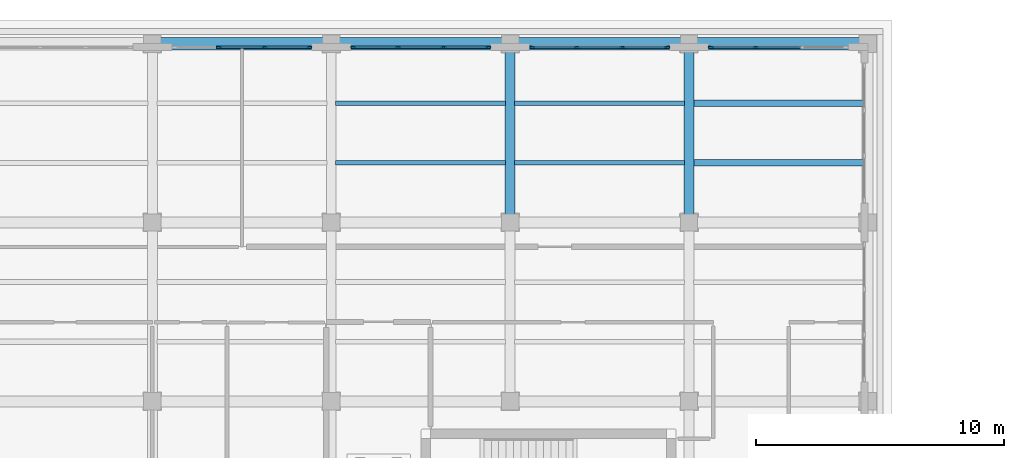
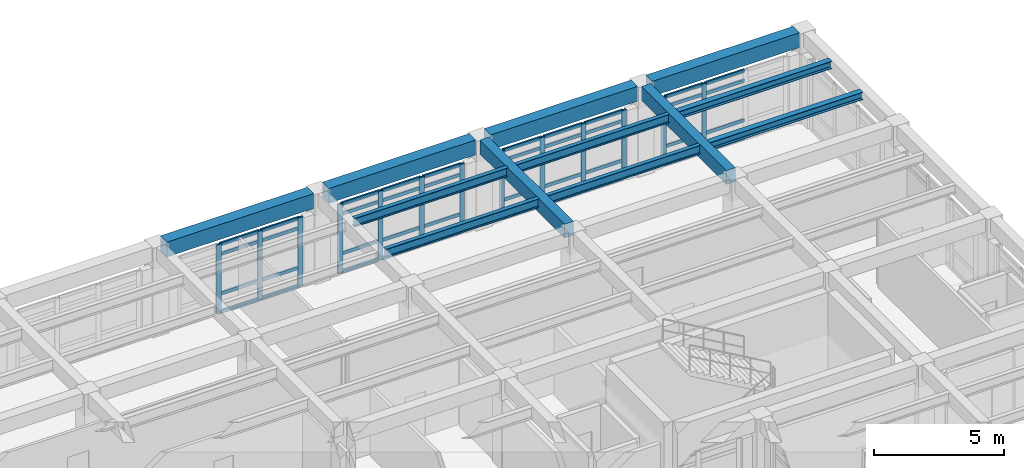
# One storey, part 30 of 64: 53 members, 12 beams, 4 elements without a shape of their own.
"""IFC4 building model written with IfcOpenShell, lengths in metres."""

import ifcopenshell
import ifcopenshell.guid

model = None  # the IFC model being written
_history = None  # IfcOwnerHistory: only IFC2X3 demands one
_inside = {}  # id of a spatial element -> (the spatial element, [elements in it])
_under = {}  # id of a project, library or spatial element -> (it, [spatial elements below it])
_declared = {}  # id of a project -> (the project, [libraries it declares])
_typed = {}  # id of a type object -> (the type object, [elements of that type])
_made_of = {}  # id of a material, layer set ... -> (it, [elements and type objects made of it])


def new_model(schema):
    """Start an empty IFC model of exactly this schema.

    Asked for "IFC4X3", IfcOpenShell would pick the latest addendum, in which some entities
    have other attributes; the version numbers below select the first issue.
    IFC2X3 requires an IfcOwnerHistory on every rooted entity: one is made here for all.
    """
    global model, _history
    if schema == "IFC4X3":
        model = ifcopenshell.file(schema_version=(4, 3, 0, 0))
    else:
        model = ifcopenshell.file(schema=schema)
    _inside.clear()
    _under.clear()
    _declared.clear()
    _typed.clear()
    _made_of.clear()
    _history = None
    if model.schema == "IFC2X3":
        org = make("IfcOrganization", Name="unknown")
        user = make(
            "IfcPersonAndOrganization",
            ThePerson=make("IfcPerson", FamilyName="unknown"),
            TheOrganization=org,
        )
        app = make(
            "IfcApplication",
            ApplicationDeveloper=org,
            Version="unknown",
            ApplicationFullName="unknown",
            ApplicationIdentifier="unknown",
        )
        _history = make(
            "IfcOwnerHistory",
            OwningUser=user,
            OwningApplication=app,
            ChangeAction="ADDED",
            CreationDate=0,
        )
    return model


def make(cls, **values):
    """One entity of the class cls with the attributes given. An attribute that is None is left unset."""
    return model.create_entity(
        cls, **{name: value for name, value in values.items() if value is not None}
    )


def rooted(cls, **values):
    """An entity with a GlobalId (a new one), such as an element, a storey or a relation."""
    return make(cls, GlobalId=ifcopenshell.guid.new(), OwnerHistory=_history, **values)


def si_unit(unit_type, name, prefix=None):
    """IfcSIUnit, for example si_unit("LENGTHUNIT", "METRE", prefix="MILLI")."""
    return make("IfcSIUnit", UnitType=unit_type, Prefix=prefix, Name=name)


def assignment(units):
    """IfcUnitAssignment: the units of a project."""
    return None if units is None else make("IfcUnitAssignment", Units=units)


def point(xyz):
    """IfcCartesianPoint."""
    return None if xyz is None else make("IfcCartesianPoint", Coordinates=xyz)


def direction(xyz):
    """IfcDirection."""
    return None if xyz is None else make("IfcDirection", DirectionRatios=xyz)


def frame(location, z_axis=None, x_axis=None):
    """IfcAxis2Placement3D, a coordinate frame: its origin and axes. An axis left out is left unset."""
    return make(
        "IfcAxis2Placement3D",
        Location=point(location),
        Axis=direction(z_axis),
        RefDirection=direction(x_axis),
    )


def frame_2d(location, x_axis=None):
    """IfcAxis2Placement2D, a coordinate frame in the plane: its origin and x axis."""
    return make(
        "IfcAxis2Placement2D", Location=point(location), RefDirection=direction(x_axis)
    )


def origin():
    """The frame at (0, 0, 0) with its axes left unset."""
    return frame((0.0, 0.0, 0.0))


def origin_2d():
    """The frame at (0, 0) in the plane with its x axis left unset."""
    return frame_2d((0.0, 0.0))


def place(relative_to, where):
    """IfcLocalPlacement: puts the frame where relative to a parent placement (None: the world)."""
    return make(
        "IfcLocalPlacement", PlacementRelTo=relative_to, RelativePlacement=where
    )


def context(
    kind, dimensions, precision=None, world=None, true_north=None, identifier=None
):
    """IfcGeometricRepresentationContext, for example the 3D "Model" context."""
    return make(
        "IfcGeometricRepresentationContext",
        ContextIdentifier=identifier,
        ContextType=kind,
        CoordinateSpaceDimension=dimensions,
        Precision=precision,
        WorldCoordinateSystem=world,
        TrueNorth=true_north,
    )


def subcontext(parent, identifier, kind, view, scale=None):
    """IfcGeometricRepresentationSubContext, for example "Body" below "Model"."""
    return make(
        "IfcGeometricRepresentationSubContext",
        ContextIdentifier=identifier,
        ContextType=kind,
        ParentContext=parent,
        TargetScale=scale,
        TargetView=view,
    )


def project(units=None, contexts=None):
    """IfcProject with its units and contexts."""
    return rooted(
        "IfcProject",
        Name="project",
        RepresentationContexts=contexts,
        UnitsInContext=assignment(units),
    )


def spatial(cls, under=None, at=None, **own):
    """A site, building, storey or space (cls), placed at a placement, below another one or the project."""
    s = rooted(cls, ObjectPlacement=at, **own)
    if under is not None:
        _under.setdefault(under.id(), (under, []))[1].append(s)
    return s


def profile(cls, at=None, kind="AREA", **sizes):
    """A parametric profile (cls). Its sizes go by their IFC names, for example OverallWidth=200.0."""
    return make(cls, ProfileType=kind, Position=at, **sizes)


def rectangle(**sizes):
    """IfcRectangleProfileDef."""
    return profile("IfcRectangleProfileDef", **sizes)


def i_section(**sizes):
    """IfcIShapeProfileDef."""
    return profile("IfcIShapeProfileDef", **sizes)


def extrude(swept, where, along, depth):
    """IfcExtrudedAreaSolid: the profile swept, set in the frame where, extruded along a direction by depth."""
    return make(
        "IfcExtrudedAreaSolid",
        SweptArea=swept,
        Position=where,
        ExtrudedDirection=direction(along),
        Depth=depth,
    )


def shape(context_of_items, identifier, shape_type, items):
    """IfcShapeRepresentation: the items that make up one representation, for example the "Body"."""
    return make(
        "IfcShapeRepresentation",
        ContextOfItems=context_of_items,
        RepresentationIdentifier=identifier,
        RepresentationType=shape_type,
        Items=items,
    )


def material(Name=None, Category=None):
    """IfcMaterial."""
    return make("IfcMaterial", Name=Name, Category=Category)


def layer(
    of_material, thickness, ventilated=None, Name=None, Category=None, Priority=None
):
    """IfcMaterialLayer: one layer of a wall or slab, of a material (None: an air gap)."""
    return make(
        "IfcMaterialLayer",
        Material=of_material,
        LayerThickness=thickness,
        IsVentilated=ventilated,
        Name=Name,
        Category=Category,
        Priority=Priority,
    )


def layer_set(layers, Name=None):
    """IfcMaterialLayerSet."""
    return make("IfcMaterialLayerSet", MaterialLayers=layers, LayerSetName=Name)


def material_profile(
    of_material, cross_section, Name=None, Category=None, Priority=None
):
    """IfcMaterialProfile: a cross section and its material."""
    return make(
        "IfcMaterialProfile",
        Name=Name,
        Material=of_material,
        Profile=cross_section,
        Priority=Priority,
        Category=Category,
    )


def profile_set(profiles, Name=None, composite=None):
    """IfcMaterialProfileSet."""
    return make(
        "IfcMaterialProfileSet",
        Name=Name,
        MaterialProfiles=profiles,
        CompositeProfile=composite,
    )


def made_of(thing, what):
    """Note that an element or type object is made of a material, layer set ...; save() writes the relation."""
    if what is not None:
        _made_of.setdefault(what.id(), (what, []))[1].append(thing)
    return thing


def type_object(cls, material=None, **own):
    """A type object (cls), such as IfcWallType, which elements share."""
    return made_of(rooted(cls, **own), material)


def element(
    cls,
    number,
    at=None,
    inside=None,
    cuts=None,
    type_object=None,
    material=None,
    context=None,
    identifier="Body",
    shape_type=None,
    held_by="IfcProductDefinitionShape",
    body=None,
    shapes=None,
    **own,
):
    """One element of the class cls, such as IfcWall. Its Tag is "e" and its number.

    at: its placement. inside: the storey or other place that contains it. cuts: it is an
    opening in that element (IfcRelVoidsElement). A single representation is given by context,
    identifier, shape_type and body (its items); several are given by shapes. held_by: the class
    of the entity that holds the representations. save() writes the other relations.
    """
    e = rooted(cls, Tag="e%d" % number, ObjectPlacement=at, **own)
    if body is not None:
        shapes = [shape(context, identifier, shape_type, body)]
    if shapes is not None:
        e.Representation = make(held_by, Representations=shapes)
    if inside is not None:
        _inside.setdefault(inside.id(), (inside, []))[1].append(e)
    if cuts is not None:
        rooted(
            "IfcRelVoidsElement", RelatingBuildingElement=cuts, RelatedOpeningElement=e
        )
    if type_object is not None:
        _typed.setdefault(type_object.id(), (type_object, []))[1].append(e)
    return made_of(e, material)


def aggregate(whole, parts):
    """IfcRelAggregates: a whole, such as a stair, and the parts it consists of."""
    return rooted("IfcRelAggregates", RelatingObject=whole, RelatedObjects=parts)


def save(model, path):
    """Write the relations noted so far, then the file.

    IfcRelAggregates (storeys below a building ...), IfcRelContainedInSpatialStructure (elements
    in a storey), IfcRelDefinesByType, IfcRelAssociatesMaterial and IfcRelDeclares: one each for
    every whole, place, type object, material and project.
    """
    for whole, parts in _under.values():
        aggregate(whole, parts)
    for where, things in _inside.values():
        rooted(
            "IfcRelContainedInSpatialStructure",
            RelatedElements=things,
            RelatingStructure=where,
        )
    for kind, things in _typed.values():
        rooted("IfcRelDefinesByType", RelatedObjects=things, RelatingType=kind)
    for what, things in _made_of.values():
        rooted("IfcRelAssociatesMaterial", RelatedObjects=things, RelatingMaterial=what)
    for by, libraries in _declared.values():
        rooted("IfcRelDeclares", RelatingContext=by, RelatedDefinitions=libraries)
    model.write(path)


model = new_model("IFC4")

# Units and contexts
model_context = context("Model", 3, precision=1e-05, world=origin(), true_north=direction((0.0, 1.0)))
body_context = subcontext(model_context, "Body", "Model", "MODEL_VIEW")
ifc_project = project(units=[si_unit("LENGTHUNIT", "METRE"), si_unit("AREAUNIT", "SQUARE_METRE"), si_unit("VOLUMEUNIT", "CUBIC_METRE"), si_unit("PLANEANGLEUNIT", "RADIAN"), si_unit("MASSUNIT", "GRAM", prefix="KILO")], contexts=[model_context])

# Site, building, storey
site_placement = place(None, origin())
site = spatial("IfcSite", under=ifc_project, at=site_placement, CompositionType="ELEMENT")
building_placement = place(site_placement, origin())
building = spatial("IfcBuilding", under=site, at=building_placement, Name="Solenvale Faculty of Natural Sciences", CompositionType="ELEMENT")
storey_placement = place(building_placement, frame((0.0, 0.0, 18.0)))
storey = spatial("IfcBuildingStorey", under=building, at=storey_placement, Name="L04", CompositionType="ELEMENT", Elevation=18.0)

# Beams
ifc_material_1 = material(Name="Concrete 40 MPa", Category="concrete")
ifc_material_profile_1 = material_profile(ifc_material_1, rectangle(XDim=0.39990234375, YDim=0.64990234375, at=origin_2d()), Name="RC-BM-400x650")
ifc_profile_set_1 = profile_set([ifc_material_profile_1], Name="Concrete 40 MPa")
beam_type_1 = type_object("IfcBeamType", Name="BM-RC-400x650", PredefinedType="BEAM", material=ifc_profile_set_1)
for number, where, z_axis, x_axis, name in (
    (1, (136.800048828125, 108.330078125, 3.89501953125), (0.0, 1.0, 0.0), (-1.0, 0.0, 0.0), "L04 Y-Girder X136.8 (108.0..115.2)"),
    (2, (144.0, 108.330078125, 3.89501953125), (0.0, 1.0, 0.0), (-1.0, 0.0, 0.0), "L04 Y-Girder X144.0 (108.0..115.2)"),
):
    element("IfcBeam", number, at=place(storey_placement, frame(where, z_axis=z_axis, x_axis=x_axis)), inside=storey, type_object=beam_type_1, Name=name, PredefinedType="BEAM", context=body_context, shape_type="SweptSolid", body=[
        extrude(rectangle(XDim=0.39990234375, YDim=0.64990234375, at=origin_2d()), origin(), (0.0, 0.0, 1.0), 6.5400390625),
    ])
ifc_material_2 = material(Name="Precast concrete 40 MPa", Category="concrete")
ifc_material_profile_2 = material_profile(ifc_material_2, rectangle(XDim=0.5, YDim=0.699951171875, at=origin_2d()), Name="RC-BM-500x700")
ifc_profile_set_2 = profile_set([ifc_material_profile_2], Name="Precast concrete 40 MPa")
beam_type_2 = type_object("IfcBeamType", Name="BM-SPN-PRC-700", PredefinedType="SPANDREL", material=ifc_profile_set_2)
for number, where, z_axis, x_axis, name in (
    (3, (122.72998046875, 115.199951171875, 3.8701171875), (1.0, 0.0, 0.0), (0.0, 1.0, 0.0), "L04 X-Girder Y115.2 (122.4..129.6)"),
    (4, (129.929931640625, 115.199951171875, 3.8701171875), (1.0, 0.0, 0.0), (0.0, 1.0, 0.0), "L04 X-Girder Y115.2 (129.6..136.8)"),
    (5, (137.1298828125, 115.199951171875, 3.8701171875), (1.0, 0.0, 0.0), (0.0, 1.0, 0.0), "L04 X-Girder Y115.2 (136.8..144.0)"),
    (6, (144.330078125, 115.199951171875, 3.8701171875), (1.0, 0.0, 0.0), (0.0, 1.0, 0.0), "L04 X-Girder Y115.2 (144.0..151.2)"),
):
    element("IfcBeam", number, at=place(storey_placement, frame(where, z_axis=z_axis, x_axis=x_axis)), inside=storey, type_object=beam_type_2, Name=name, PredefinedType="SPANDREL", context=body_context, shape_type="SweptSolid", body=[
        extrude(rectangle(XDim=0.5, YDim=0.699951171875, at=origin_2d()), origin(), (0.0, 0.0, 1.0), 6.5400390625),
    ])
ifc_material_3 = material(Name="Steel S355", Category="steel")
ifc_material_profile_3 = material_profile(ifc_material_3, i_section(OverallWidth=0.2548828125, OverallDepth=0.35693359375, WebThickness=0.010498046875, FlangeThickness=0.018310546875, FilletRadius=0.014892578125, at=origin_2d()), Name="W360x101")
ifc_profile_set_3 = profile_set([ifc_material_profile_3], Name="Steel S355")
beam_type_3 = type_object("IfcBeamType", Name="BM-STL-W360x101", PredefinedType="JOIST", material=ifc_profile_set_3)
for number, where, z_axis, x_axis, name in (
    (7, (144.179931640625, 110.39990234375, 4.04150390625), (1.0, 0.0, 0.0), (0.0, 1.0, 0.0), "L04 Composite Floor Joist (21,16).1"),
    (8, (144.179931640625, 112.800048828125, 4.04150390625), (1.0, 0.0, 0.0), (0.0, 1.0, 0.0), "L04 Composite Floor Joist (21,16).2"),
):
    element("IfcBeam", number, at=place(storey_placement, frame(where, z_axis=z_axis, x_axis=x_axis)), inside=storey, type_object=beam_type_3, Name=name, PredefinedType="JOIST", context=body_context, shape_type="SweptSolid", body=[
        extrude(i_section(OverallWidth=0.2548828125, OverallDepth=0.35693359375, WebThickness=0.010498046875, FlangeThickness=0.018310546875, FilletRadius=0.014892578125, at=origin_2d()), origin(), (0.0, 0.0, 1.0), 6.840087890625),
    ])
ifc_material_profile_4 = material_profile(ifc_material_3, i_section(OverallWidth=0.178955078125, OverallDepth=0.409912109375, WebThickness=0.0087890625, FlangeThickness=0.014404296875, FilletRadius=0.01611328125, at=origin_2d()), Name="W410x67")
ifc_profile_set_4 = profile_set([ifc_material_profile_4], Name="Steel S355")
beam_type_4 = type_object("IfcBeamType", Name="BM-STL-W410x67", PredefinedType="JOIST", material=ifc_profile_set_4)
for number, where, z_axis, x_axis, name in (
    (9, (136.97998046875, 110.39990234375, 4.014892578125), (1.0, 0.0, 0.0), (0.0, 1.0, 0.0), "L04 Composite Floor Joist (20,16).1"),
    (10, (136.97998046875, 112.800048828125, 4.014892578125), (1.0, 0.0, 0.0), (0.0, 1.0, 0.0), "L04 Composite Floor Joist (20,16).2"),
):
    element("IfcBeam", number, at=place(storey_placement, frame(where, z_axis=z_axis, x_axis=x_axis)), inside=storey, type_object=beam_type_4, Name=name, PredefinedType="JOIST", context=body_context, shape_type="SweptSolid", body=[
        extrude(i_section(OverallWidth=0.178955078125, OverallDepth=0.409912109375, WebThickness=0.0087890625, FlangeThickness=0.014404296875, FilletRadius=0.01611328125, at=origin_2d()), origin(), (0.0, 0.0, 1.0), 6.840087890625),
    ])
ifc_material_profile_5 = material_profile(ifc_material_3, i_section(OverallWidth=0.180908203125, OverallDepth=0.4169921875, WebThickness=0.010986328125, FlangeThickness=0.018310546875, FilletRadius=0.01611328125, at=origin_2d()), Name="W410x85")
ifc_profile_set_5 = profile_set([ifc_material_profile_5], Name="Steel S355")
beam_type_5 = type_object("IfcBeamType", Name="BM-STL-W410x85", PredefinedType="JOIST", material=ifc_profile_set_5)
for number, where, z_axis, x_axis, name in (
    (11, (129.780029296875, 110.39990234375, 4.011474609375), (1.0, 0.0, 0.0), (0.0, 1.0, 0.0), "L04 Composite Floor Joist (19,16).1"),
    (12, (129.780029296875, 112.800048828125, 4.011474609375), (1.0, 0.0, 0.0), (0.0, 1.0, 0.0), "L04 Composite Floor Joist (19,16).2"),
):
    element("IfcBeam", number, at=place(storey_placement, frame(where, z_axis=z_axis, x_axis=x_axis)), inside=storey, type_object=beam_type_5, Name=name, PredefinedType="JOIST", context=body_context, shape_type="SweptSolid", body=[
        extrude(i_section(OverallWidth=0.180908203125, OverallDepth=0.4169921875, WebThickness=0.010986328125, FlangeThickness=0.018310546875, FilletRadius=0.01611328125, at=origin_2d()), origin(), (0.0, 0.0, 1.0), 6.840087890625),
    ])

# Curtain wall, members
ifc_material_4 = material(Name="Anodised bronze aluminium", Category="aluminium")
ifc_layer = layer(ifc_material_4, 0.179931640625)
ifc_layer_set = layer_set([ifc_layer], Name="Anodised bronze aluminium")
curtain_wall_type = type_object("IfcCurtainWallType", Name="CW-TWR-MOD", PredefinedType="USERDEFINED", material=ifc_layer_set)
curtain_wall_1_placement = place(storey_placement, origin())
curtain_wall_1 = element("IfcCurtainWall", 13, at=curtain_wall_1_placement, inside=storey, type_object=curtain_wall_type, Name="L04 Curtain Wall CW-L04-P3-E4-B1", ObjectType="UNITISED CURTAIN WALL", PredefinedType="USERDEFINED")
ifc_material_profile_6 = material_profile(ifc_material_4, rectangle(XDim=0.074951171875, YDim=0.2099609375, at=origin_2d()), Name="ALU-MUL-75x210")
ifc_profile_set_6 = profile_set([ifc_material_profile_6], Name="Anodised bronze aluminium")
member_type_1 = type_object("IfcMemberType", Name="CWM-ALU-75x210", PredefinedType="MULLION", material=ifc_profile_set_6)
member_1_placement = place(storey_placement, frame((146.683349609375, 115.0576171875, 0.0), z_axis=(0.0, 0.0, 1.0), x_axis=(0.0, -1.0, 0.0)))
member_1 = element("IfcMember", 14, at=member_1_placement, type_object=member_type_1, Name="CW-04 mullion 3", PredefinedType="MULLION", context=body_context, shape_type="SweptSolid", body=[
    extrude(rectangle(XDim=0.074951171875, YDim=0.2099609375, at=origin_2d()), origin(), (0.0, 0.0, 1.0), 3.260009765625),
])
member_2_placement = place(storey_placement, frame((144.887451171875, 115.0576171875, 0.0), z_axis=(0.0, 0.0, 1.0), x_axis=(0.0, -1.0, 0.0)))
member_2 = element("IfcMember", 15, at=member_2_placement, type_object=member_type_1, Name="CW-04 mullion 4", PredefinedType="MULLION", context=body_context, shape_type="SweptSolid", body=[
    extrude(rectangle(XDim=0.074951171875, YDim=0.2099609375, at=origin_2d()), origin(), (0.0, 0.0, 1.0), 3.260009765625),
])

curtain_wall_2_placement = place(storey_placement, origin())
curtain_wall_2 = element("IfcCurtainWall", 16, at=curtain_wall_2_placement, inside=storey, type_object=curtain_wall_type, Name="L04 Curtain Wall CW-L04-P3-E4-B2", ObjectType="UNITISED CURTAIN WALL", PredefinedType="USERDEFINED")
member_3_placement = place(storey_placement, frame((143.112548828125, 115.0576171875, 0.0), z_axis=(0.0, 0.0, 1.0), x_axis=(0.0, -1.0, 0.0)))
member_3 = element("IfcMember", 17, at=member_3_placement, type_object=member_type_1, Name="CW-04 mullion 1", PredefinedType="MULLION", context=body_context, shape_type="SweptSolid", body=[
    extrude(rectangle(XDim=0.074951171875, YDim=0.2099609375, at=origin_2d()), origin(), (0.0, 0.0, 1.0), 3.260009765625),
])
member_4_placement = place(storey_placement, frame((141.316650390625, 115.0576171875, 0.0), z_axis=(0.0, 0.0, 1.0), x_axis=(0.0, -1.0, 0.0)))
member_4 = element("IfcMember", 18, at=member_4_placement, type_object=member_type_1, Name="CW-04 mullion 2", PredefinedType="MULLION", context=body_context, shape_type="SweptSolid", body=[
    extrude(rectangle(XDim=0.074951171875, YDim=0.2099609375, at=origin_2d()), origin(), (0.0, 0.0, 1.0), 3.260009765625),
])
member_5_placement = place(storey_placement, frame((139.4833984375, 115.0576171875, 0.0), z_axis=(0.0, 0.0, 1.0), x_axis=(0.0, -1.0, 0.0)))
member_5 = element("IfcMember", 19, at=member_5_placement, type_object=member_type_1, Name="CW-04 mullion 3", PredefinedType="MULLION", context=body_context, shape_type="SweptSolid", body=[
    extrude(rectangle(XDim=0.074951171875, YDim=0.2099609375, at=origin_2d()), origin(), (0.0, 0.0, 1.0), 3.260009765625),
])
member_6_placement = place(storey_placement, frame((137.6875, 115.0576171875, 0.0), z_axis=(0.0, 0.0, 1.0), x_axis=(0.0, -1.0, 0.0)))
member_6 = element("IfcMember", 20, at=member_6_placement, type_object=member_type_1, Name="CW-04 mullion 4", PredefinedType="MULLION", context=body_context, shape_type="SweptSolid", body=[
    extrude(rectangle(XDim=0.074951171875, YDim=0.2099609375, at=origin_2d()), origin(), (0.0, 0.0, 1.0), 3.260009765625),
])

curtain_wall_3_placement = place(storey_placement, origin())
curtain_wall_3 = element("IfcCurtainWall", 21, at=curtain_wall_3_placement, inside=storey, type_object=curtain_wall_type, Name="L04 Curtain Wall CW-L04-P3-E4-B3", ObjectType="UNITISED CURTAIN WALL", PredefinedType="USERDEFINED")
member_7_placement = place(storey_placement, frame((135.91259765625, 115.0576171875, 0.0), z_axis=(0.0, 0.0, 1.0), x_axis=(0.0, -1.0, 0.0)))
member_7 = element("IfcMember", 22, at=member_7_placement, type_object=member_type_1, Name="CW-04 mullion 1", PredefinedType="MULLION", context=body_context, shape_type="SweptSolid", body=[
    extrude(rectangle(XDim=0.074951171875, YDim=0.2099609375, at=origin_2d()), origin(), (0.0, 0.0, 1.0), 3.260009765625),
])
member_8_placement = place(storey_placement, frame((134.11669921875, 115.0576171875, 0.0), z_axis=(0.0, 0.0, 1.0), x_axis=(0.0, -1.0, 0.0)))
member_8 = element("IfcMember", 23, at=member_8_placement, type_object=member_type_1, Name="CW-04 mullion 2", PredefinedType="MULLION", context=body_context, shape_type="SweptSolid", body=[
    extrude(rectangle(XDim=0.074951171875, YDim=0.2099609375, at=origin_2d()), origin(), (0.0, 0.0, 1.0), 3.260009765625),
])
member_9_placement = place(storey_placement, frame((132.283447265625, 115.0576171875, 0.0), z_axis=(0.0, 0.0, 1.0), x_axis=(0.0, -1.0, 0.0)))
member_9 = element("IfcMember", 24, at=member_9_placement, type_object=member_type_1, Name="CW-04 mullion 3", PredefinedType="MULLION", context=body_context, shape_type="SweptSolid", body=[
    extrude(rectangle(XDim=0.074951171875, YDim=0.2099609375, at=origin_2d()), origin(), (0.0, 0.0, 1.0), 3.260009765625),
])
member_10_placement = place(storey_placement, frame((130.487548828125, 115.0576171875, 0.0), z_axis=(0.0, 0.0, 1.0), x_axis=(0.0, -1.0, 0.0)))
member_10 = element("IfcMember", 25, at=member_10_placement, type_object=member_type_1, Name="CW-04 mullion 4", PredefinedType="MULLION", context=body_context, shape_type="SweptSolid", body=[
    extrude(rectangle(XDim=0.074951171875, YDim=0.2099609375, at=origin_2d()), origin(), (0.0, 0.0, 1.0), 3.260009765625),
])

curtain_wall_4_placement = place(storey_placement, origin())
curtain_wall_4 = element("IfcCurtainWall", 26, at=curtain_wall_4_placement, inside=storey, type_object=curtain_wall_type, Name="L04 Curtain Wall CW-L04-P3-E4-B4", ObjectType="UNITISED CURTAIN WALL", PredefinedType="USERDEFINED")
member_11_placement = place(storey_placement, frame((128.71240234375, 115.0576171875, 0.0), z_axis=(0.0, 0.0, 1.0), x_axis=(0.0, -1.0, 0.0)))
member_11 = element("IfcMember", 27, at=member_11_placement, type_object=member_type_1, Name="CW-04 mullion 1", PredefinedType="MULLION", context=body_context, shape_type="SweptSolid", body=[
    extrude(rectangle(XDim=0.074951171875, YDim=0.2099609375, at=origin_2d()), origin(), (0.0, 0.0, 1.0), 3.260009765625),
])
member_12_placement = place(storey_placement, frame((126.916748046875, 115.0576171875, 0.0), z_axis=(0.0, 0.0, 1.0), x_axis=(0.0, -1.0, 0.0)))
member_12 = element("IfcMember", 28, at=member_12_placement, type_object=member_type_1, Name="CW-04 mullion 2", PredefinedType="MULLION", context=body_context, shape_type="SweptSolid", body=[
    extrude(rectangle(XDim=0.074951171875, YDim=0.2099609375, at=origin_2d()), origin(), (0.0, 0.0, 1.0), 3.260009765625),
])
member_13_placement = place(storey_placement, frame((125.083251953125, 115.0576171875, 0.0), z_axis=(0.0, 0.0, 1.0), x_axis=(0.0, -1.0, 0.0)))
member_13 = element("IfcMember", 29, at=member_13_placement, type_object=member_type_1, Name="CW-04 mullion 3", PredefinedType="MULLION", context=body_context, shape_type="SweptSolid", body=[
    extrude(rectangle(XDim=0.074951171875, YDim=0.2099609375, at=origin_2d()), origin(), (0.0, 0.0, 1.0), 3.260009765625),
])

# Member
ifc_material_profile_7 = material_profile(ifc_material_4, rectangle(XDim=0.074951171875, YDim=0.155029296875, at=origin_2d()), Name="ALU-TRN-75x155")
ifc_profile_set_7 = profile_set([ifc_material_profile_7], Name="Anodised bronze aluminium")
member_type_2 = type_object("IfcMemberType", Name="CWT-ALU-75x155", PredefinedType="USERDEFINED", material=ifc_profile_set_7)
member_14_placement = place(storey_placement, frame((148.479248046875, 115.0576171875, 0.03759765625), z_axis=(-1.0, 0.0, 0.0), x_axis=(0.0, -1.0, 0.0)))
member_14 = element("IfcMember", 30, at=member_14_placement, type_object=member_type_2, Name="CW-04 transom 2.1", ObjectType="TRANSOM", PredefinedType="USERDEFINED", context=body_context, shape_type="SweptSolid", body=[
    extrude(rectangle(XDim=0.074951171875, YDim=0.155029296875, at=origin_2d()), origin(), (0.0, 0.0, 1.0), 1.75830078125),
])

member_15_placement = place(storey_placement, frame((148.479248046875, 115.0576171875, 0.89990234375), z_axis=(-1.0, 0.0, 0.0), x_axis=(0.0, -1.0, 0.0)))
member_15 = element("IfcMember", 31, at=member_15_placement, type_object=member_type_2, Name="CW-04 transom 2.2", ObjectType="TRANSOM", PredefinedType="USERDEFINED", context=body_context, shape_type="SweptSolid", body=[
    extrude(rectangle(XDim=0.074951171875, YDim=0.155029296875, at=origin_2d()), origin(), (0.0, 0.0, 1.0), 1.75830078125),
])

member_16_placement = place(storey_placement, frame((148.479248046875, 115.0576171875, 2.760009765625), z_axis=(-1.0, 0.0, 0.0), x_axis=(0.0, -1.0, 0.0)))
member_16 = element("IfcMember", 32, at=member_16_placement, type_object=member_type_2, Name="CW-04 transom 2.3", ObjectType="TRANSOM", PredefinedType="USERDEFINED", context=body_context, shape_type="SweptSolid", body=[
    extrude(rectangle(XDim=0.074951171875, YDim=0.155029296875, at=origin_2d()), origin(), (0.0, 0.0, 1.0), 1.75830078125),
])

member_17_placement = place(storey_placement, frame((148.479248046875, 115.0576171875, 3.222412109375), z_axis=(-1.0, 0.0, 0.0), x_axis=(0.0, -1.0, 0.0)))
member_17 = element("IfcMember", 33, at=member_17_placement, type_object=member_type_2, Name="CW-04 transom 2.4", ObjectType="TRANSOM", PredefinedType="USERDEFINED", context=body_context, shape_type="SweptSolid", body=[
    extrude(rectangle(XDim=0.074951171875, YDim=0.155029296875, at=origin_2d()), origin(), (0.0, 0.0, 1.0), 1.75830078125),
])

member_18_placement = place(storey_placement, frame((146.645751953125, 115.0576171875, 0.03759765625), z_axis=(-1.0, 0.0, 0.0), x_axis=(0.0, -1.0, 0.0)))
member_18 = element("IfcMember", 34, at=member_18_placement, type_object=member_type_2, Name="CW-04 transom 3.1", ObjectType="TRANSOM", PredefinedType="USERDEFINED", context=body_context, shape_type="SweptSolid", body=[
    extrude(rectangle(XDim=0.074951171875, YDim=0.155029296875, at=origin_2d()), origin(), (0.0, 0.0, 1.0), 1.720703125),
])

member_19_placement = place(storey_placement, frame((146.645751953125, 115.0576171875, 0.89990234375), z_axis=(-1.0, 0.0, 0.0), x_axis=(0.0, -1.0, 0.0)))
member_19 = element("IfcMember", 35, at=member_19_placement, type_object=member_type_2, Name="CW-04 transom 3.2", ObjectType="TRANSOM", PredefinedType="USERDEFINED", context=body_context, shape_type="SweptSolid", body=[
    extrude(rectangle(XDim=0.074951171875, YDim=0.155029296875, at=origin_2d()), origin(), (0.0, 0.0, 1.0), 1.720703125),
])

member_20_placement = place(storey_placement, frame((146.645751953125, 115.0576171875, 2.760009765625), z_axis=(-1.0, 0.0, 0.0), x_axis=(0.0, -1.0, 0.0)))
member_20 = element("IfcMember", 36, at=member_20_placement, type_object=member_type_2, Name="CW-04 transom 3.3", ObjectType="TRANSOM", PredefinedType="USERDEFINED", context=body_context, shape_type="SweptSolid", body=[
    extrude(rectangle(XDim=0.074951171875, YDim=0.155029296875, at=origin_2d()), origin(), (0.0, 0.0, 1.0), 1.720703125),
])

member_21_placement = place(storey_placement, frame((146.645751953125, 115.0576171875, 3.222412109375), z_axis=(-1.0, 0.0, 0.0), x_axis=(0.0, -1.0, 0.0)))
member_21 = element("IfcMember", 37, at=member_21_placement, type_object=member_type_2, Name="CW-04 transom 3.4", ObjectType="TRANSOM", PredefinedType="USERDEFINED", context=body_context, shape_type="SweptSolid", body=[
    extrude(rectangle(XDim=0.074951171875, YDim=0.155029296875, at=origin_2d()), origin(), (0.0, 0.0, 1.0), 1.720703125),
])

aggregate(curtain_wall_1, [member_1, member_2, member_14, member_15, member_16, member_17, member_18, member_19, member_20, member_21])

member_22_placement = place(storey_placement, frame((143.074951171875, 115.0576171875, 0.03759765625), z_axis=(-1.0, 0.0, 0.0), x_axis=(0.0, -1.0, 0.0)))
member_22 = element("IfcMember", 38, at=member_22_placement, type_object=member_type_2, Name="CW-04 transom 1.1", ObjectType="TRANSOM", PredefinedType="USERDEFINED", context=body_context, shape_type="SweptSolid", body=[
    extrude(rectangle(XDim=0.074951171875, YDim=0.155029296875, at=origin_2d()), origin(), (0.0, 0.0, 1.0), 1.720703125),
])

member_23_placement = place(storey_placement, frame((143.074951171875, 115.0576171875, 0.89990234375), z_axis=(-1.0, 0.0, 0.0), x_axis=(0.0, -1.0, 0.0)))
member_23 = element("IfcMember", 39, at=member_23_placement, type_object=member_type_2, Name="CW-04 transom 1.2", ObjectType="TRANSOM", PredefinedType="USERDEFINED", context=body_context, shape_type="SweptSolid", body=[
    extrude(rectangle(XDim=0.074951171875, YDim=0.155029296875, at=origin_2d()), origin(), (0.0, 0.0, 1.0), 1.720703125),
])

member_24_placement = place(storey_placement, frame((143.074951171875, 115.0576171875, 2.760009765625), z_axis=(-1.0, 0.0, 0.0), x_axis=(0.0, -1.0, 0.0)))
member_24 = element("IfcMember", 40, at=member_24_placement, type_object=member_type_2, Name="CW-04 transom 1.3", ObjectType="TRANSOM", PredefinedType="USERDEFINED", context=body_context, shape_type="SweptSolid", body=[
    extrude(rectangle(XDim=0.074951171875, YDim=0.155029296875, at=origin_2d()), origin(), (0.0, 0.0, 1.0), 1.720703125),
])

member_25_placement = place(storey_placement, frame((143.074951171875, 115.0576171875, 3.222412109375), z_axis=(-1.0, 0.0, 0.0), x_axis=(0.0, -1.0, 0.0)))
member_25 = element("IfcMember", 41, at=member_25_placement, type_object=member_type_2, Name="CW-04 transom 1.4", ObjectType="TRANSOM", PredefinedType="USERDEFINED", context=body_context, shape_type="SweptSolid", body=[
    extrude(rectangle(XDim=0.074951171875, YDim=0.155029296875, at=origin_2d()), origin(), (0.0, 0.0, 1.0), 1.720703125),
])

member_26_placement = place(storey_placement, frame((141.279052734375, 115.0576171875, 0.03759765625), z_axis=(-1.0, 0.0, 0.0), x_axis=(0.0, -1.0, 0.0)))
member_26 = element("IfcMember", 42, at=member_26_placement, type_object=member_type_2, Name="CW-04 transom 2.1", ObjectType="TRANSOM", PredefinedType="USERDEFINED", context=body_context, shape_type="SweptSolid", body=[
    extrude(rectangle(XDim=0.074951171875, YDim=0.155029296875, at=origin_2d()), origin(), (0.0, 0.0, 1.0), 1.75830078125),
])

member_27_placement = place(storey_placement, frame((141.279052734375, 115.0576171875, 0.89990234375), z_axis=(-1.0, 0.0, 0.0), x_axis=(0.0, -1.0, 0.0)))
member_27 = element("IfcMember", 43, at=member_27_placement, type_object=member_type_2, Name="CW-04 transom 2.2", ObjectType="TRANSOM", PredefinedType="USERDEFINED", context=body_context, shape_type="SweptSolid", body=[
    extrude(rectangle(XDim=0.074951171875, YDim=0.155029296875, at=origin_2d()), origin(), (0.0, 0.0, 1.0), 1.75830078125),
])

member_28_placement = place(storey_placement, frame((141.279052734375, 115.0576171875, 2.760009765625), z_axis=(-1.0, 0.0, 0.0), x_axis=(0.0, -1.0, 0.0)))
member_28 = element("IfcMember", 44, at=member_28_placement, type_object=member_type_2, Name="CW-04 transom 2.3", ObjectType="TRANSOM", PredefinedType="USERDEFINED", context=body_context, shape_type="SweptSolid", body=[
    extrude(rectangle(XDim=0.074951171875, YDim=0.155029296875, at=origin_2d()), origin(), (0.0, 0.0, 1.0), 1.75830078125),
])

member_29_placement = place(storey_placement, frame((141.279052734375, 115.0576171875, 3.222412109375), z_axis=(-1.0, 0.0, 0.0), x_axis=(0.0, -1.0, 0.0)))
member_29 = element("IfcMember", 45, at=member_29_placement, type_object=member_type_2, Name="CW-04 transom 2.4", ObjectType="TRANSOM", PredefinedType="USERDEFINED", context=body_context, shape_type="SweptSolid", body=[
    extrude(rectangle(XDim=0.074951171875, YDim=0.155029296875, at=origin_2d()), origin(), (0.0, 0.0, 1.0), 1.75830078125),
])

member_30_placement = place(storey_placement, frame((139.44580078125, 115.0576171875, 0.03759765625), z_axis=(-1.0, 0.0, 0.0), x_axis=(0.0, -1.0, 0.0)))
member_30 = element("IfcMember", 46, at=member_30_placement, type_object=member_type_2, Name="CW-04 transom 3.1", ObjectType="TRANSOM", PredefinedType="USERDEFINED", context=body_context, shape_type="SweptSolid", body=[
    extrude(rectangle(XDim=0.074951171875, YDim=0.155029296875, at=origin_2d()), origin(), (0.0, 0.0, 1.0), 1.720703125),
])

member_31_placement = place(storey_placement, frame((139.44580078125, 115.0576171875, 0.89990234375), z_axis=(-1.0, 0.0, 0.0), x_axis=(0.0, -1.0, 0.0)))
member_31 = element("IfcMember", 47, at=member_31_placement, type_object=member_type_2, Name="CW-04 transom 3.2", ObjectType="TRANSOM", PredefinedType="USERDEFINED", context=body_context, shape_type="SweptSolid", body=[
    extrude(rectangle(XDim=0.074951171875, YDim=0.155029296875, at=origin_2d()), origin(), (0.0, 0.0, 1.0), 1.720703125),
])

member_32_placement = place(storey_placement, frame((139.44580078125, 115.0576171875, 2.760009765625), z_axis=(-1.0, 0.0, 0.0), x_axis=(0.0, -1.0, 0.0)))
member_32 = element("IfcMember", 48, at=member_32_placement, type_object=member_type_2, Name="CW-04 transom 3.3", ObjectType="TRANSOM", PredefinedType="USERDEFINED", context=body_context, shape_type="SweptSolid", body=[
    extrude(rectangle(XDim=0.074951171875, YDim=0.155029296875, at=origin_2d()), origin(), (0.0, 0.0, 1.0), 1.720703125),
])

member_33_placement = place(storey_placement, frame((139.44580078125, 115.0576171875, 3.222412109375), z_axis=(-1.0, 0.0, 0.0), x_axis=(0.0, -1.0, 0.0)))
member_33 = element("IfcMember", 49, at=member_33_placement, type_object=member_type_2, Name="CW-04 transom 3.4", ObjectType="TRANSOM", PredefinedType="USERDEFINED", context=body_context, shape_type="SweptSolid", body=[
    extrude(rectangle(XDim=0.074951171875, YDim=0.155029296875, at=origin_2d()), origin(), (0.0, 0.0, 1.0), 1.720703125),
])

aggregate(curtain_wall_2, [member_3, member_4, member_5, member_6, member_22, member_23, member_24, member_25, member_26, member_27, member_28, member_29, member_30, member_31, member_32, member_33])

member_34_placement = place(storey_placement, frame((135.875, 115.0576171875, 0.03759765625), z_axis=(-1.0, 0.0, 0.0), x_axis=(0.0, -1.0, 0.0)))
member_34 = element("IfcMember", 50, at=member_34_placement, type_object=member_type_2, Name="CW-04 transom 1.1", ObjectType="TRANSOM", PredefinedType="USERDEFINED", context=body_context, shape_type="SweptSolid", body=[
    extrude(rectangle(XDim=0.074951171875, YDim=0.155029296875, at=origin_2d()), origin(), (0.0, 0.0, 1.0), 1.720947265625),
])

member_35_placement = place(storey_placement, frame((135.875, 115.0576171875, 0.89990234375), z_axis=(-1.0, 0.0, 0.0), x_axis=(0.0, -1.0, 0.0)))
member_35 = element("IfcMember", 51, at=member_35_placement, type_object=member_type_2, Name="CW-04 transom 1.2", ObjectType="TRANSOM", PredefinedType="USERDEFINED", context=body_context, shape_type="SweptSolid", body=[
    extrude(rectangle(XDim=0.074951171875, YDim=0.155029296875, at=origin_2d()), origin(), (0.0, 0.0, 1.0), 1.720947265625),
])

member_36_placement = place(storey_placement, frame((135.875, 115.0576171875, 2.760009765625), z_axis=(-1.0, 0.0, 0.0), x_axis=(0.0, -1.0, 0.0)))
member_36 = element("IfcMember", 52, at=member_36_placement, type_object=member_type_2, Name="CW-04 transom 1.3", ObjectType="TRANSOM", PredefinedType="USERDEFINED", context=body_context, shape_type="SweptSolid", body=[
    extrude(rectangle(XDim=0.074951171875, YDim=0.155029296875, at=origin_2d()), origin(), (0.0, 0.0, 1.0), 1.720947265625),
])

member_37_placement = place(storey_placement, frame((135.875, 115.0576171875, 3.222412109375), z_axis=(-1.0, 0.0, 0.0), x_axis=(0.0, -1.0, 0.0)))
member_37 = element("IfcMember", 53, at=member_37_placement, type_object=member_type_2, Name="CW-04 transom 1.4", ObjectType="TRANSOM", PredefinedType="USERDEFINED", context=body_context, shape_type="SweptSolid", body=[
    extrude(rectangle(XDim=0.074951171875, YDim=0.155029296875, at=origin_2d()), origin(), (0.0, 0.0, 1.0), 1.720947265625),
])

member_38_placement = place(storey_placement, frame((134.0791015625, 115.0576171875, 0.03759765625), z_axis=(-1.0, 0.0, 0.0), x_axis=(0.0, -1.0, 0.0)))
member_38 = element("IfcMember", 54, at=member_38_placement, type_object=member_type_2, Name="CW-04 transom 2.1", ObjectType="TRANSOM", PredefinedType="USERDEFINED", context=body_context, shape_type="SweptSolid", body=[
    extrude(rectangle(XDim=0.074951171875, YDim=0.155029296875, at=origin_2d()), origin(), (0.0, 0.0, 1.0), 1.75830078125),
])

member_39_placement = place(storey_placement, frame((134.0791015625, 115.0576171875, 0.89990234375), z_axis=(-1.0, 0.0, 0.0), x_axis=(0.0, -1.0, 0.0)))
member_39 = element("IfcMember", 55, at=member_39_placement, type_object=member_type_2, Name="CW-04 transom 2.2", ObjectType="TRANSOM", PredefinedType="USERDEFINED", context=body_context, shape_type="SweptSolid", body=[
    extrude(rectangle(XDim=0.074951171875, YDim=0.155029296875, at=origin_2d()), origin(), (0.0, 0.0, 1.0), 1.75830078125),
])

member_40_placement = place(storey_placement, frame((134.0791015625, 115.0576171875, 2.760009765625), z_axis=(-1.0, 0.0, 0.0), x_axis=(0.0, -1.0, 0.0)))
member_40 = element("IfcMember", 56, at=member_40_placement, type_object=member_type_2, Name="CW-04 transom 2.3", ObjectType="TRANSOM", PredefinedType="USERDEFINED", context=body_context, shape_type="SweptSolid", body=[
    extrude(rectangle(XDim=0.074951171875, YDim=0.155029296875, at=origin_2d()), origin(), (0.0, 0.0, 1.0), 1.75830078125),
])

member_41_placement = place(storey_placement, frame((134.0791015625, 115.0576171875, 3.222412109375), z_axis=(-1.0, 0.0, 0.0), x_axis=(0.0, -1.0, 0.0)))
member_41 = element("IfcMember", 57, at=member_41_placement, type_object=member_type_2, Name="CW-04 transom 2.4", ObjectType="TRANSOM", PredefinedType="USERDEFINED", context=body_context, shape_type="SweptSolid", body=[
    extrude(rectangle(XDim=0.074951171875, YDim=0.155029296875, at=origin_2d()), origin(), (0.0, 0.0, 1.0), 1.75830078125),
])

member_42_placement = place(storey_placement, frame((132.245849609375, 115.0576171875, 0.03759765625), z_axis=(-1.0, 0.0, 0.0), x_axis=(0.0, -1.0, 0.0)))
member_42 = element("IfcMember", 58, at=member_42_placement, type_object=member_type_2, Name="CW-04 transom 3.1", ObjectType="TRANSOM", PredefinedType="USERDEFINED", context=body_context, shape_type="SweptSolid", body=[
    extrude(rectangle(XDim=0.074951171875, YDim=0.155029296875, at=origin_2d()), origin(), (0.0, 0.0, 1.0), 1.720947265625),
])

member_43_placement = place(storey_placement, frame((132.245849609375, 115.0576171875, 0.89990234375), z_axis=(-1.0, 0.0, 0.0), x_axis=(0.0, -1.0, 0.0)))
member_43 = element("IfcMember", 59, at=member_43_placement, type_object=member_type_2, Name="CW-04 transom 3.2", ObjectType="TRANSOM", PredefinedType="USERDEFINED", context=body_context, shape_type="SweptSolid", body=[
    extrude(rectangle(XDim=0.074951171875, YDim=0.155029296875, at=origin_2d()), origin(), (0.0, 0.0, 1.0), 1.720947265625),
])

member_44_placement = place(storey_placement, frame((132.245849609375, 115.0576171875, 2.760009765625), z_axis=(-1.0, 0.0, 0.0), x_axis=(0.0, -1.0, 0.0)))
member_44 = element("IfcMember", 60, at=member_44_placement, type_object=member_type_2, Name="CW-04 transom 3.3", ObjectType="TRANSOM", PredefinedType="USERDEFINED", context=body_context, shape_type="SweptSolid", body=[
    extrude(rectangle(XDim=0.074951171875, YDim=0.155029296875, at=origin_2d()), origin(), (0.0, 0.0, 1.0), 1.720947265625),
])

member_45_placement = place(storey_placement, frame((132.245849609375, 115.0576171875, 3.222412109375), z_axis=(-1.0, 0.0, 0.0), x_axis=(0.0, -1.0, 0.0)))
member_45 = element("IfcMember", 61, at=member_45_placement, type_object=member_type_2, Name="CW-04 transom 3.4", ObjectType="TRANSOM", PredefinedType="USERDEFINED", context=body_context, shape_type="SweptSolid", body=[
    extrude(rectangle(XDim=0.074951171875, YDim=0.155029296875, at=origin_2d()), origin(), (0.0, 0.0, 1.0), 1.720947265625),
])

aggregate(curtain_wall_3, [member_7, member_8, member_9, member_10, member_34, member_35, member_36, member_37, member_38, member_39, member_40, member_41, member_42, member_43, member_44, member_45])

member_46_placement = place(storey_placement, frame((128.675048828125, 115.0576171875, 0.03759765625), z_axis=(-1.0, 0.0, 0.0), x_axis=(0.0, -1.0, 0.0)))
member_46 = element("IfcMember", 62, at=member_46_placement, type_object=member_type_2, Name="CW-04 transom 1.1", ObjectType="TRANSOM", PredefinedType="USERDEFINED", context=body_context, shape_type="SweptSolid", body=[
    extrude(rectangle(XDim=0.074951171875, YDim=0.155029296875, at=origin_2d()), origin(), (0.0, 0.0, 1.0), 1.720947265625),
])

member_47_placement = place(storey_placement, frame((128.675048828125, 115.0576171875, 0.89990234375), z_axis=(-1.0, 0.0, 0.0), x_axis=(0.0, -1.0, 0.0)))
member_47 = element("IfcMember", 63, at=member_47_placement, type_object=member_type_2, Name="CW-04 transom 1.2", ObjectType="TRANSOM", PredefinedType="USERDEFINED", context=body_context, shape_type="SweptSolid", body=[
    extrude(rectangle(XDim=0.074951171875, YDim=0.155029296875, at=origin_2d()), origin(), (0.0, 0.0, 1.0), 1.720947265625),
])

member_48_placement = place(storey_placement, frame((128.675048828125, 115.0576171875, 2.760009765625), z_axis=(-1.0, 0.0, 0.0), x_axis=(0.0, -1.0, 0.0)))
member_48 = element("IfcMember", 64, at=member_48_placement, type_object=member_type_2, Name="CW-04 transom 1.3", ObjectType="TRANSOM", PredefinedType="USERDEFINED", context=body_context, shape_type="SweptSolid", body=[
    extrude(rectangle(XDim=0.074951171875, YDim=0.155029296875, at=origin_2d()), origin(), (0.0, 0.0, 1.0), 1.720947265625),
])

member_49_placement = place(storey_placement, frame((128.675048828125, 115.0576171875, 3.222412109375), z_axis=(-1.0, 0.0, 0.0), x_axis=(0.0, -1.0, 0.0)))
member_49 = element("IfcMember", 65, at=member_49_placement, type_object=member_type_2, Name="CW-04 transom 1.4", ObjectType="TRANSOM", PredefinedType="USERDEFINED", context=body_context, shape_type="SweptSolid", body=[
    extrude(rectangle(XDim=0.074951171875, YDim=0.155029296875, at=origin_2d()), origin(), (0.0, 0.0, 1.0), 1.720947265625),
])

member_50_placement = place(storey_placement, frame((126.879150390625, 115.0576171875, 0.03759765625), z_axis=(-1.0, 0.0, 0.0), x_axis=(0.0, -1.0, 0.0)))
member_50 = element("IfcMember", 66, at=member_50_placement, type_object=member_type_2, Name="CW-04 transom 2.1", ObjectType="TRANSOM", PredefinedType="USERDEFINED", context=body_context, shape_type="SweptSolid", body=[
    extrude(rectangle(XDim=0.074951171875, YDim=0.155029296875, at=origin_2d()), origin(), (0.0, 0.0, 1.0), 1.75830078125),
])

member_51_placement = place(storey_placement, frame((126.879150390625, 115.0576171875, 0.89990234375), z_axis=(-1.0, 0.0, 0.0), x_axis=(0.0, -1.0, 0.0)))
member_51 = element("IfcMember", 67, at=member_51_placement, type_object=member_type_2, Name="CW-04 transom 2.2", ObjectType="TRANSOM", PredefinedType="USERDEFINED", context=body_context, shape_type="SweptSolid", body=[
    extrude(rectangle(XDim=0.074951171875, YDim=0.155029296875, at=origin_2d()), origin(), (0.0, 0.0, 1.0), 1.75830078125),
])

member_52_placement = place(storey_placement, frame((126.879150390625, 115.0576171875, 2.760009765625), z_axis=(-1.0, 0.0, 0.0), x_axis=(0.0, -1.0, 0.0)))
member_52 = element("IfcMember", 68, at=member_52_placement, type_object=member_type_2, Name="CW-04 transom 2.3", ObjectType="TRANSOM", PredefinedType="USERDEFINED", context=body_context, shape_type="SweptSolid", body=[
    extrude(rectangle(XDim=0.074951171875, YDim=0.155029296875, at=origin_2d()), origin(), (0.0, 0.0, 1.0), 1.75830078125),
])

member_53_placement = place(storey_placement, frame((126.879150390625, 115.0576171875, 3.222412109375), z_axis=(-1.0, 0.0, 0.0), x_axis=(0.0, -1.0, 0.0)))
member_53 = element("IfcMember", 69, at=member_53_placement, type_object=member_type_2, Name="CW-04 transom 2.4", ObjectType="TRANSOM", PredefinedType="USERDEFINED", context=body_context, shape_type="SweptSolid", body=[
    extrude(rectangle(XDim=0.074951171875, YDim=0.155029296875, at=origin_2d()), origin(), (0.0, 0.0, 1.0), 1.75830078125),
])

aggregate(curtain_wall_4, [member_11, member_12, member_13, member_46, member_47, member_48, member_49, member_50, member_51, member_52, member_53])

save(model, "model.ifc")
